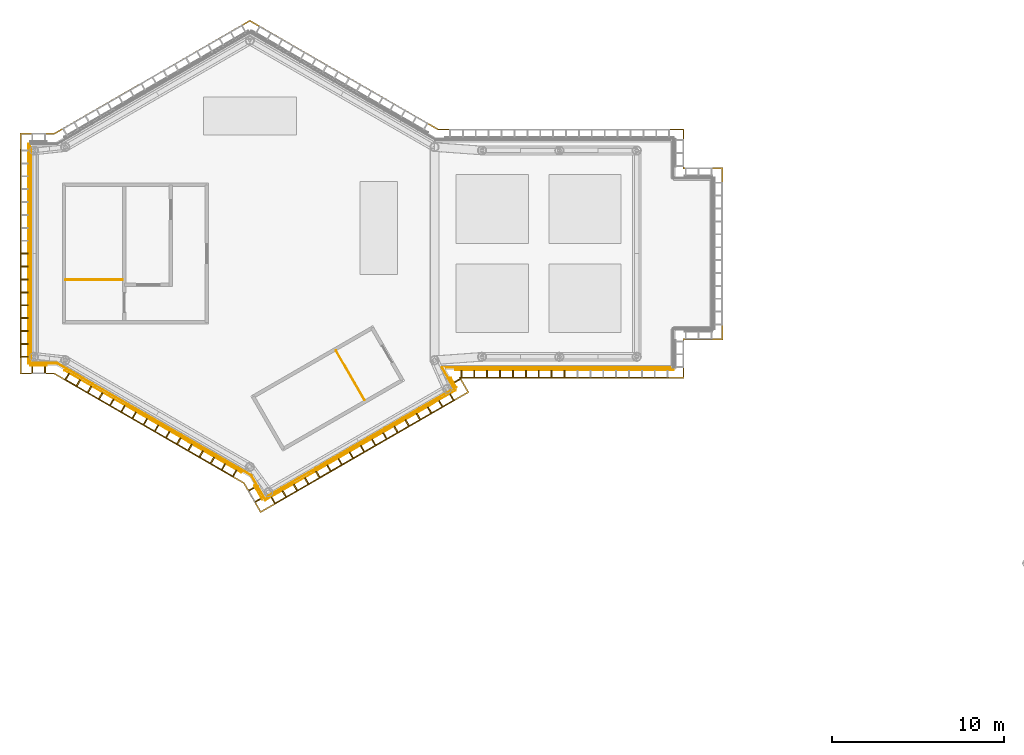
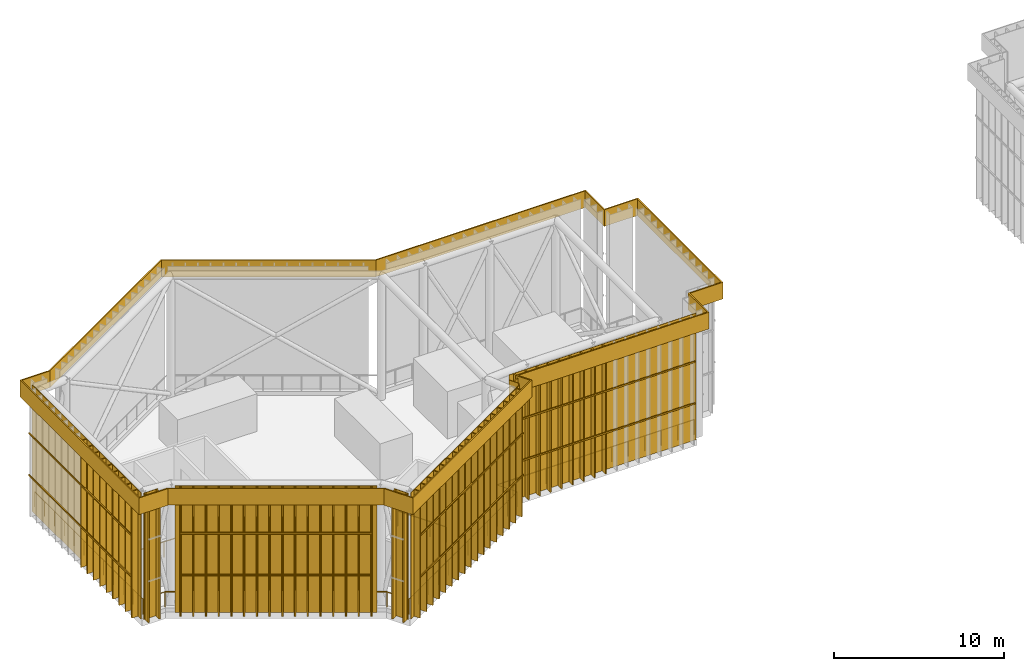
# One storey, part 10 of 17: 72 coverings, 9 railings.
"""IFC4 building model written with IfcOpenShell, lengths in metres."""

from ifc_helpers import new_model, si_unit, direction, frame, origin, origin_2d, place, context, subcontext, project, spatial, polyline, rectangle, circle, outline, extrude, material, layer, layer_set, type_object, element, save


model = new_model("IFC4")

# Units and contexts
model_context = context("Model", 3, precision=1e-05, world=origin(), true_north=direction((0.0, 1.0)))
body_context = subcontext(model_context, "Body", "Model", "MODEL_VIEW")
ifc_project = project(units=[si_unit("LENGTHUNIT", "METRE"), si_unit("AREAUNIT", "SQUARE_METRE"), si_unit("VOLUMEUNIT", "CUBIC_METRE"), si_unit("PLANEANGLEUNIT", "RADIAN"), si_unit("MASSUNIT", "GRAM", prefix="KILO")], contexts=[model_context])

# Site, building, storey
site_placement = place(None, origin())
site = spatial("IfcSite", under=ifc_project, at=site_placement, CompositionType="ELEMENT")
building_placement = place(site_placement, origin())
building = spatial("IfcBuilding", under=site, at=building_placement, Name="Upepo Twin Towers", CompositionType="ELEMENT")
storey_placement = place(building_placement, frame((0.0, 0.0, 296.5)))
storey = spatial("IfcBuildingStorey", under=building, at=storey_placement, Name="RF", CompositionType="ELEMENT", Elevation=296.5)

# Coverings
ifc_material_1 = material(Name="Folded aluminium sheet, pale silver, on a galvanised steel subframe", Category="steel")
ifc_layer_1 = layer(ifc_material_1, 0.080078125)
ifc_layer_set_1 = layer_set([ifc_layer_1], Name="Crown cap fascia 1200 folded aluminium")
covering_type_1 = type_object("IfcCoveringType", Name="Crown cap fascia 1200 folded aluminium", PredefinedType="CLADDING", material=ifc_layer_set_1)
covering_1_placement = place(storey_placement, frame((0.0, 0.0, 8.053955078125)))
element("IfcCovering", 1, at=covering_1_placement, inside=storey, type_object=covering_type_1, Name="T1 crown cap fascia", PredefinedType="CLADDING", context=body_context, shape_type="SweptSolid", body=[
    extrude(outline(polyline([(12.7548828125, -8.072265625), (0.61328125, -15.082275390625), (-0.373291015625, -13.373291015625), (-11.39501953125, -7.010009765625), (-13.368408203125, -7.010009765625), (-13.368408203125, 7.010009765625), (-11.39501953125, 7.010009765625), (0.0, 13.5888671875), (10.9619140625, 7.260009765625), (25.260009765625, 7.260009765625), (25.260009765625, 5.010009765625), (27.510009765625, 5.010009765625), (27.510009765625, -5.010009765625), (25.260009765625, -5.010009765625), (25.260009765625, -7.260009765625), (12.2861328125, -7.260009765625), (12.7548828125, -8.072265625)]), holes=[polyline([(12.645751953125, -8.04296875), (0.642578125, -14.97314453125), (-0.314697265625, -13.314697265625), (-11.37353515625, -6.929931640625), (-13.288330078125, -6.929931640625), (-13.288330078125, 6.929931640625), (-11.37353515625, 6.929931640625), (0.0, 13.49658203125), (10.9404296875, 7.179931640625), (25.179931640625, 7.179931640625), (25.179931640625, 4.929931640625), (27.429931640625, 4.929931640625), (27.429931640625, -4.929931640625), (25.179931640625, -4.929931640625), (25.179931640625, -7.179931640625), (12.1474609375, -7.179931640625), (12.645751953125, -8.04296875)])]), origin(), (0.0, 0.0, 1.0), 1.199951171875),
])
ifc_material_2 = material(Name="Anodised aluminium, pale silver", Category="aluminium")
covering_type_2 = type_object("IfcCoveringType", Name="Crown screen fin 80x400 pale aluminium", PredefinedType="CLADDING", material=ifc_material_2)
for number, where, z_axis, x_axis, name in (
    (2, (12.042236328125, -7.397705078125, 0.0), (0.0, 0.0, 1.0), (-0.49999963724, 0.866025613224, 0.0), "T1 crown screen fin 1.1"),
    (3, (12.30126953125, -6.97998046875, 0.0), (0.0, 0.0, 1.0), (1.0, 0.0, 0.0), "T1 crown screen fin 2.1"),
    (4, (13.05126953125, -6.97998046875, 0.0), (0.0, 0.0, 1.0), (1.0, 0.0, 0.0), "T1 crown screen fin 2.2"),
    (5, (13.80126953125, -6.97998046875, 0.0), (0.0, 0.0, 1.0), (1.0, 0.0, 0.0), "T1 crown screen fin 2.3"),
    (6, (14.55126953125, -6.97998046875, 0.0), (0.0, 0.0, 1.0), (1.0, 0.0, 0.0), "T1 crown screen fin 2.4"),
    (7, (15.30126953125, -6.97998046875, 0.0), (0.0, 0.0, 1.0), (1.0, 0.0, 0.0), "T1 crown screen fin 2.5"),
    (8, (16.05126953125, -6.97998046875, 0.0), (0.0, 0.0, 1.0), (1.0, 0.0, 0.0), "T1 crown screen fin 2.6"),
    (9, (16.80126953125, -6.97998046875, 0.0), (0.0, 0.0, 1.0), (1.0, 0.0, 0.0), "T1 crown screen fin 2.7"),
    (10, (17.55126953125, -6.97998046875, 0.0), (0.0, 0.0, 1.0), (1.0, 0.0, 0.0), "T1 crown screen fin 2.8"),
    (11, (18.30126953125, -6.97998046875, 0.0), (0.0, 0.0, 1.0), (1.0, 0.0, 0.0), "T1 crown screen fin 2.9"),
    (12, (-13.08837890625, 0.0, 0.0), (0.0, 0.0, 1.0), (0.0, -1.0, 0.0), "T1 crown screen fin 12.9"),
    (13, (-13.08837890625, -0.75, 0.0), (0.0, 0.0, 1.0), (0.0, -1.0, 0.0), "T1 crown screen fin 12.10"),
    (14, (-13.08837890625, -1.5, 0.0), (0.0, 0.0, 1.0), (0.0, -1.0, 0.0), "T1 crown screen fin 12.11"),
    (15, (-13.08837890625, -2.25, 0.0), (0.0, 0.0, 1.0), (0.0, -1.0, 0.0), "T1 crown screen fin 12.12"),
    (16, (-13.08837890625, -3.0, 0.0), (0.0, 0.0, 1.0), (0.0, -1.0, 0.0), "T1 crown screen fin 12.13"),
    (17, (-13.08837890625, -3.75, 0.0), (0.0, 0.0, 1.0), (0.0, -1.0, 0.0), "T1 crown screen fin 12.14"),
    (18, (-13.08837890625, -4.5, 0.0), (0.0, 0.0, 1.0), (0.0, -1.0, 0.0), "T1 crown screen fin 12.15"),
    (19, (-13.08837890625, -5.25, 0.0), (0.0, 0.0, 1.0), (0.0, -1.0, 0.0), "T1 crown screen fin 12.16"),
    (20, (-13.08837890625, -6.0, 0.0), (0.0, 0.0, 1.0), (0.0, -1.0, 0.0), "T1 crown screen fin 12.17"),
    (21, (-12.658447265625, -6.72998046875, 0.0), (0.0, 0.0, 1.0), (1.0, 0.0, 0.0), "T1 crown screen fin 13.1"),
    (22, (-11.908447265625, -6.72998046875, 0.0), (0.0, 0.0, 1.0), (1.0, 0.0, 0.0), "T1 crown screen fin 13.2"),
    (23, (-10.615478515625, -7.13671875, 0.0), (0.0, 0.0, 1.0), (0.866025395058, -0.500000015115, 0.0), "T1 crown screen fin 14.1"),
    (24, (-9.966064453125, -7.51171875, 0.0), (0.0, 0.0, 1.0), (0.866025395058, -0.500000015115, 0.0), "T1 crown screen fin 14.2"),
    (25, (-9.31640625, -7.88671875, 0.0), (0.0, 0.0, 1.0), (0.866025395058, -0.500000015115, 0.0), "T1 crown screen fin 14.3"),
    (26, (-8.6669921875, -8.26171875, 0.0), (0.0, 0.0, 1.0), (0.866025395058, -0.500000015115, 0.0), "T1 crown screen fin 14.4"),
    (27, (-8.017578125, -8.63671875, 0.0), (0.0, 0.0, 1.0), (0.866025395058, -0.500000015115, 0.0), "T1 crown screen fin 14.5"),
    (28, (-7.367919921875, -9.01171875, 0.0), (0.0, 0.0, 1.0), (0.866025395058, -0.500000015115, 0.0), "T1 crown screen fin 14.6"),
    (29, (-6.718505859375, -9.38671875, 0.0), (0.0, 0.0, 1.0), (0.866025395058, -0.500000015115, 0.0), "T1 crown screen fin 14.7"),
    (30, (-6.06884765625, -9.76171875, 0.0), (0.0, 0.0, 1.0), (0.866025395058, -0.500000015115, 0.0), "T1 crown screen fin 14.8"),
    (31, (-5.41943359375, -10.13671875, 0.0), (0.0, 0.0, 1.0), (0.866025395058, -0.500000015115, 0.0), "T1 crown screen fin 14.9"),
    (32, (-4.769775390625, -10.51171875, 0.0), (0.0, 0.0, 1.0), (0.866025395058, -0.500000015115, 0.0), "T1 crown screen fin 14.10"),
    (33, (-4.120361328125, -10.88671875, 0.0), (0.0, 0.0, 1.0), (0.866025395058, -0.500000015115, 0.0), "T1 crown screen fin 14.11"),
    (34, (-3.470947265625, -11.26171875, 0.0), (0.0, 0.0, 1.0), (0.866025395058, -0.500000015115, 0.0), "T1 crown screen fin 14.12"),
    (35, (-2.8212890625, -11.63671875, 0.0), (0.0, 0.0, 1.0), (0.866025395058, -0.500000015115, 0.0), "T1 crown screen fin 14.13"),
    (36, (-2.171875, -12.01171875, 0.0), (0.0, 0.0, 1.0), (0.866025395058, -0.500000015115, 0.0), "T1 crown screen fin 14.14"),
    (37, (-1.522216796875, -12.38671875, 0.0), (0.0, 0.0, 1.0), (0.866025395058, -0.500000015115, 0.0), "T1 crown screen fin 14.15"),
    (38, (-0.872802734375, -12.76171875, 0.0), (0.0, 0.0, 1.0), (0.866025395058, -0.500000015115, 0.0), "T1 crown screen fin 14.16"),
    (39, (0.125732421875, -13.677978515625, 0.0), (0.0, 0.0, 1.0), (0.49999990931, -0.866025456144, 0.0), "T1 crown screen fin 15.1"),
    (40, (0.500732421875, -14.327392578125, 0.0), (0.0, 0.0, 1.0), (0.49999990931, -0.866025456144, 0.0), "T1 crown screen fin 15.2"),
    (41, (1.347900390625, -14.334716796875, 0.0), (0.0, 0.0, 1.0), (0.866025395058, 0.500000015115, 0.0), "T1 crown screen fin 16.1"),
    (42, (1.99755859375, -13.959716796875, 0.0), (0.0, 0.0, 1.0), (0.866025395058, 0.500000015115, 0.0), "T1 crown screen fin 16.2"),
    (43, (2.64697265625, -13.584716796875, 0.0), (0.0, 0.0, 1.0), (0.866025395058, 0.500000015115, 0.0), "T1 crown screen fin 16.3"),
    (44, (3.296630859375, -13.209716796875, 0.0), (0.0, 0.0, 1.0), (0.866025395058, 0.500000015115, 0.0), "T1 crown screen fin 16.4"),
    (45, (3.946044921875, -12.834716796875, 0.0), (0.0, 0.0, 1.0), (0.866025395058, 0.500000015115, 0.0), "T1 crown screen fin 16.5"),
    (46, (4.595703125, -12.459716796875, 0.0), (0.0, 0.0, 1.0), (0.866025395058, 0.500000015115, 0.0), "T1 crown screen fin 16.6"),
    (47, (5.2451171875, -12.084716796875, 0.0), (0.0, 0.0, 1.0), (0.866025395058, 0.500000015115, 0.0), "T1 crown screen fin 16.7"),
    (48, (5.89453125, -11.709716796875, 0.0), (0.0, 0.0, 1.0), (0.866025395058, 0.500000015115, 0.0), "T1 crown screen fin 16.8"),
    (49, (6.544189453125, -11.334716796875, 0.0), (0.0, 0.0, 1.0), (0.866025395058, 0.500000015115, 0.0), "T1 crown screen fin 16.9"),
    (50, (7.193603515625, -10.959716796875, 0.0), (0.0, 0.0, 1.0), (0.866025395058, 0.500000015115, 0.0), "T1 crown screen fin 16.10"),
    (51, (7.84326171875, -10.584716796875, 0.0), (0.0, 0.0, 1.0), (0.866025395058, 0.500000015115, 0.0), "T1 crown screen fin 16.11"),
    (52, (8.49267578125, -10.209716796875, 0.0), (0.0, 0.0, 1.0), (0.866025395058, 0.500000015115, 0.0), "T1 crown screen fin 16.12"),
    (53, (9.142333984375, -9.834716796875, 0.0), (0.0, 0.0, 1.0), (0.866025395058, 0.500000015115, 0.0), "T1 crown screen fin 16.13"),
    (54, (9.791748046875, -9.459716796875, 0.0), (0.0, 0.0, 1.0), (0.866025395058, 0.500000015115, 0.0), "T1 crown screen fin 16.14"),
    (55, (10.441162109375, -9.084716796875, 0.0), (0.0, 0.0, 1.0), (0.866025395058, 0.500000015115, 0.0), "T1 crown screen fin 16.15"),
    (56, (11.0908203125, -8.709716796875, 0.0), (0.0, 0.0, 1.0), (0.866025395058, 0.500000015115, 0.0), "T1 crown screen fin 16.16"),
    (57, (11.740234375, -8.334716796875, 0.0), (0.0, 0.0, 1.0), (0.866025395058, 0.500000015115, 0.0), "T1 crown screen fin 16.17"),
):
    element("IfcCovering", number, at=place(storey_placement, frame(where, z_axis=z_axis, x_axis=x_axis)), inside=storey, type_object=covering_type_2, Name=name, PredefinedType="CLADDING", context=body_context, shape_type="SweptSolid", body=[
        extrude(rectangle(XDim=0.080078125, YDim=0.39990234375, at=origin_2d()), origin(), (0.0, 0.0, 1.0), 9.10400390625),
    ])
ifc_material_3 = material(Name="Perforated anodised aluminium sheet 3 mm, pale silver, on an aluminium subframe", Category="aluminium")
ifc_layer_2 = layer(ifc_material_3, 0.030029296875)
ifc_layer_set_2 = layer_set([ifc_layer_2], Name="Crown screen panel 30 perforated aluminium")
covering_type_3 = type_object("IfcCoveringType", Name="Crown screen panel 30 perforated aluminium", PredefinedType="CLADDING", material=ifc_layer_set_2)
covering_2_placement = place(storey_placement, frame((11.85595703125, -7.505126953125, 0.0), z_axis=(0.0, 0.0, 1.0), x_axis=(-0.49999963724, 0.866025613224, 0.0)))
element("IfcCovering", 58, at=covering_2_placement, inside=storey, type_object=covering_type_3, Name="T1 crown screen panel 1", PredefinedType="CLADDING", context=body_context, shape_type="SweptSolid", body=[
    extrude(rectangle(XDim=0.661376953125, YDim=0.030029296875, at=origin_2d()), origin(), (0.0, 0.0, 1.0), 9.10400390625),
])
covering_3_placement = place(storey_placement, frame((18.30126953125, -6.764892578125, 0.0), z_axis=(0.0, 0.0, 1.0), x_axis=(1.0, 0.0, 0.0)))
element("IfcCovering", 59, at=covering_3_placement, inside=storey, type_object=covering_type_3, Name="T1 crown screen panel 2", PredefinedType="CLADDING", context=body_context, shape_type="SweptSolid", body=[
    extrude(rectangle(XDim=12.697265625, YDim=0.030029296875, at=origin_2d()), origin(), (0.0, 0.0, 1.0), 9.10400390625),
])
covering_4_placement = place(storey_placement, frame((-12.873291015625, 0.0, 0.0), z_axis=(0.0, 0.0, 1.0), x_axis=(0.0, -1.0, 0.0)))
element("IfcCovering", 60, at=covering_4_placement, inside=storey, type_object=covering_type_3, Name="T1 crown screen panel 12", PredefinedType="CLADDING", context=body_context, shape_type="SweptSolid", body=[
    extrude(rectangle(XDim=12.800048828125, YDim=0.030029296875, at=origin_2d()), origin(), (0.0, 0.0, 1.0), 9.10400390625),
])
covering_5_placement = place(storey_placement, frame((-12.283447265625, -6.514892578125, 0.0), z_axis=(0.0, 0.0, 1.0), x_axis=(1.0, 0.0, 0.0)))
element("IfcCovering", 61, at=covering_5_placement, inside=storey, type_object=covering_type_3, Name="T1 crown screen panel 13", PredefinedType="CLADDING", context=body_context, shape_type="SweptSolid", body=[
    extrude(rectangle(XDim=0.949951171875, YDim=0.030029296875, at=origin_2d()), origin(), (0.0, 0.0, 1.0), 9.10400390625),
])
covering_6_placement = place(storey_placement, frame((-5.63671875, -9.762939453125, 0.0), z_axis=(0.0, 0.0, 1.0), x_axis=(0.866025395058, -0.500000015115, 0.0)))
element("IfcCovering", 62, at=covering_6_placement, inside=storey, type_object=covering_type_3, Name="T1 crown screen panel 14", PredefinedType="CLADDING", context=body_context, shape_type="SweptSolid", body=[
    extrude(rectangle(XDim=11.89990234375, YDim=0.030029296875, at=origin_2d()), origin(), (0.0, 0.0, 1.0), 9.10400390625),
])
covering_7_placement = place(storey_placement, frame((0.49951171875, -13.895263671875, 0.0), z_axis=(0.0, 0.0, 1.0), x_axis=(0.49999990931, -0.866025456144, 0.0)))
element("IfcCovering", 63, at=covering_7_placement, inside=storey, type_object=covering_type_3, Name="T1 crown screen panel 15", PredefinedType="CLADDING", context=body_context, shape_type="SweptSolid", body=[
    extrude(rectangle(XDim=0.949951171875, YDim=0.030029296875, at=origin_2d()), origin(), (0.0, 0.0, 1.0), 9.10400390625),
])
covering_8_placement = place(storey_placement, frame((6.436767578125, -11.148681640625, 0.0), z_axis=(0.0, 0.0, 1.0), x_axis=(0.866025395058, 0.500000015115, 0.0)))
element("IfcCovering", 64, at=covering_8_placement, inside=storey, type_object=covering_type_3, Name="T1 crown screen panel 16", PredefinedType="CLADDING", context=body_context, shape_type="SweptSolid", body=[
    extrude(rectangle(XDim=12.800048828125, YDim=0.030029296875, at=origin_2d()), origin(), (0.0, 0.0, 1.0), 9.10400390625),
])
ifc_material_4 = material(Name="Anodised aluminium, pale silver", Category="aluminium")
covering_type_4 = type_object("IfcCoveringType", Name="Crown screen rail 60x100 pale aluminium", PredefinedType="CLADDING", material=ifc_material_4)
for number, where, z_axis, x_axis, name in (
    (65, (18.30126953125, -7.2099609375, 2.949951171875), (0.0, 0.0, 1.0), (1.0, 0.0, 0.0), "T1 crown screen rail 2.1"),
    (66, (18.30126953125, -7.2099609375, 5.949951171875), (0.0, 0.0, 1.0), (1.0, 0.0, 0.0), "T1 crown screen rail 2.2"),
    (67, (-13.318359375, 0.0, 2.949951171875), (0.0, 0.0, 1.0), (0.0, -1.0, 0.0), "T1 crown screen rail 12.1"),
    (68, (-13.318359375, 0.0, 5.949951171875), (0.0, 0.0, 1.0), (0.0, -1.0, 0.0), "T1 crown screen rail 12.2"),
):
    element("IfcCovering", number, at=place(storey_placement, frame(where, z_axis=z_axis, x_axis=x_axis)), inside=storey, type_object=covering_type_4, Name=name, PredefinedType="CLADDING", context=body_context, shape_type="SweptSolid", body=[
        extrude(rectangle(XDim=12.080078125, YDim=0.06005859375, at=origin_2d()), origin(), (0.0, 0.0, 1.0), 0.10009765625),
    ])
for number, where, z_axis, x_axis, name in (
    (69, (-5.859130859375, -10.1484375, 2.949951171875), (0.0, 0.0, 1.0), (0.866025395058, -0.500000015115, 0.0), "T1 crown screen rail 14.1"),
    (70, (-5.859130859375, -10.1484375, 5.949951171875), (0.0, 0.0, 1.0), (0.866025395058, -0.500000015115, 0.0), "T1 crown screen rail 14.2"),
):
    element("IfcCovering", number, at=place(storey_placement, frame(where, z_axis=z_axis, x_axis=x_axis)), inside=storey, type_object=covering_type_4, Name=name, PredefinedType="CLADDING", context=body_context, shape_type="SweptSolid", body=[
        extrude(rectangle(XDim=11.330078125, YDim=0.06005859375, at=origin_2d()), origin(), (0.0, 0.0, 1.0), 0.10009765625),
    ])
for number, where, z_axis, x_axis, name in (
    (71, (6.6591796875, -11.533935546875, 2.949951171875), (0.0, 0.0, 1.0), (0.866025395058, 0.500000015115, 0.0), "T1 crown screen rail 16.1"),
    (72, (6.6591796875, -11.533935546875, 5.949951171875), (0.0, 0.0, 1.0), (0.866025395058, 0.500000015115, 0.0), "T1 crown screen rail 16.2"),
):
    element("IfcCovering", number, at=place(storey_placement, frame(where, z_axis=z_axis, x_axis=x_axis)), inside=storey, type_object=covering_type_4, Name=name, PredefinedType="CLADDING", context=body_context, shape_type="SweptSolid", body=[
        extrude(rectangle(XDim=12.080078125, YDim=0.06005859375, at=origin_2d()), origin(), (0.0, 0.0, 1.0), 0.10009765625),
    ])

# Railings
ifc_material_5 = material(Name="Stainless steel and glass", Category="steel")
railing_type_1 = type_object("IfcRailingType", Name="Guard 1100", PredefinedType="GUARDRAIL", material=ifc_material_5)
railing_1_placement = place(storey_placement, frame((-7.39990234375, -1.52001953125, 0.0)))
element("IfcRailing", 73, at=railing_1_placement, inside=storey, type_object=railing_type_1, Name="T1 stair S1 roof landing well guard", PredefinedType="GUARDRAIL", context=body_context, shape_type="SweptSolid", body=[
    extrude(circle(Radius=0.02392578125, at=origin_2d()), frame((0.0, 0.0, 1.076171875), z_axis=(-1.0, 0.0, 0.0), x_axis=(0.0, -1.0, 0.0)), (0.0, 0.0, 1.0), 3.308349609375),
    extrude(circle(Radius=0.02099609375, at=origin_2d()), origin(), (0.0, 0.0, 1.0), 1.052001953125),
    extrude(circle(Radius=0.02099609375, at=origin_2d()), frame((-1.102783203125, 0.0, 0.0)), (0.0, 0.0, 1.0), 1.052001953125),
    extrude(circle(Radius=0.02099609375, at=origin_2d()), frame((-2.20556640625, 0.0, 0.0)), (0.0, 0.0, 1.0), 1.052001953125),
    extrude(circle(Radius=0.02099609375, at=origin_2d()), frame((-3.308349609375, 0.0, 0.0)), (0.0, 0.0, 1.0), 1.052001953125),
])
railing_2_placement = place(storey_placement, frame((5.016357421875, -5.648681640625, 0.0)))
element("IfcRailing", 74, at=railing_2_placement, inside=storey, type_object=railing_type_1, Name="T1 stair S2 roof landing well guard", PredefinedType="GUARDRAIL", context=body_context, shape_type="SweptSolid", body=[
    extrude(circle(Radius=0.02392578125, at=origin_2d()), frame((0.0, 0.0, 1.076171875), z_axis=(0.499988630717, -0.866031967744, 0.0), x_axis=(0.866031967744, 0.499988630717, 0.0)), (0.0, 0.0, 1.0), 3.30810546875),
    extrude(circle(Radius=0.02099609375, at=origin_2d()), origin(), (0.0, 0.0, 1.0), 1.052001953125),
    extrude(circle(Radius=0.02099609375, at=origin_2d()), frame((0.55126953125, -0.955078125, 0.0)), (0.0, 0.0, 1.0), 1.052001953125),
    extrude(circle(Radius=0.02099609375, at=origin_2d()), frame((1.102783203125, -1.909912109375, 0.0)), (0.0, 0.0, 1.0), 1.052001953125),
    extrude(circle(Radius=0.02099609375, at=origin_2d()), frame((1.654052734375, -2.864990234375, 0.0)), (0.0, 0.0, 1.0), 1.052001953125),
])
ifc_material_6 = material(Name="Galvanised steel S275", Category="steel")
railing_type_2 = type_object("IfcRailingType", Name="Roof edge guardrail 1100 steel", PredefinedType="GUARDRAIL", material=ifc_material_6)
railing_3_placement = place(storey_placement, frame((11.8876953125, -7.83984375, 0.300048828125)))
element("IfcRailing", 75, at=railing_3_placement, inside=storey, type_object=railing_type_2, Name="T1 roof edge guardrail 1", PredefinedType="GUARDRAIL", context=body_context, shape_type="SweptSolid", body=[
    extrude(circle(Radius=0.02392578125, at=origin_2d()), frame((0.0, 0.0, 1.076171875), z_axis=(-0.866028703517, -0.499994284652, 0.0), x_axis=(0.499994284652, -0.866028703517, 0.0)), (0.0, 0.0, 1.0), 12.750244140625),
    extrude(circle(Radius=0.02099609375, at=origin_2d()), origin(), (0.0, 0.0, 1.0), 1.052001953125),
    extrude(circle(Radius=0.02099609375, at=origin_2d()), frame((-1.00390625, -0.57958984375, 0.0)), (0.0, 0.0, 1.0), 1.052001953125),
    extrude(circle(Radius=0.02099609375, at=origin_2d()), frame((-2.007568359375, -1.1591796875, 0.0)), (0.0, 0.0, 1.0), 1.052001953125),
    extrude(circle(Radius=0.02099609375, at=origin_2d()), frame((-3.011474609375, -1.738525390625, 0.0)), (0.0, 0.0, 1.0), 1.052001953125),
    extrude(circle(Radius=0.02099609375, at=origin_2d()), frame((-4.015380859375, -2.318115234375, 0.0)), (0.0, 0.0, 1.0), 1.052001953125),
    extrude(circle(Radius=0.02099609375, at=origin_2d()), frame((-5.01904296875, -2.897705078125, 0.0)), (0.0, 0.0, 1.0), 1.052001953125),
    extrude(circle(Radius=0.02099609375, at=origin_2d()), frame((-6.02294921875, -3.477294921875, 0.0)), (0.0, 0.0, 1.0), 1.052001953125),
    extrude(circle(Radius=0.02099609375, at=origin_2d()), frame((-7.026611328125, -4.056884765625, 0.0)), (0.0, 0.0, 1.0), 1.052001953125),
    extrude(circle(Radius=0.02099609375, at=origin_2d()), frame((-8.030517578125, -4.636474609375, 0.0)), (0.0, 0.0, 1.0), 1.052001953125),
    extrude(circle(Radius=0.02099609375, at=origin_2d()), frame((-9.034423828125, -5.2158203125, 0.0)), (0.0, 0.0, 1.0), 1.052001953125),
    extrude(circle(Radius=0.02099609375, at=origin_2d()), frame((-10.0380859375, -5.79541015625, 0.0)), (0.0, 0.0, 1.0), 1.052001953125),
    extrude(circle(Radius=0.02099609375, at=origin_2d()), frame((-11.0419921875, -6.375, 0.0)), (0.0, 0.0, 1.0), 1.052001953125),
])
railing_4_placement = place(storey_placement, frame((0.845703125, -14.21484375, 0.300048828125)))
element("IfcRailing", 76, at=railing_4_placement, inside=storey, type_object=railing_type_2, Name="T1 roof edge guardrail 2", PredefinedType="GUARDRAIL", context=body_context, shape_type="SweptSolid", body=[
    extrude(circle(Radius=0.02392578125, at=origin_2d()), frame((0.0, 0.0, 1.076171875), z_axis=(-0.499951287894, 0.866053525905, 0.0), x_axis=(-0.866053525905, -0.499951287894, 0.0)), (0.0, 0.0, 1.0), 1.508544921875),
    extrude(circle(Radius=0.02099609375, at=origin_2d()), origin(), (0.0, 0.0, 1.0), 1.052001953125),
    extrude(circle(Radius=0.02099609375, at=origin_2d()), frame((-0.376953125, 0.6533203125, 0.0)), (0.0, 0.0, 1.0), 1.052001953125),
    extrude(circle(Radius=0.02099609375, at=origin_2d()), frame((-0.754150390625, 1.306396484375, 0.0)), (0.0, 0.0, 1.0), 1.052001953125),
])
railing_5_placement = place(storey_placement, frame((0.091552734375, -12.908447265625, 0.300048828125)))
element("IfcRailing", 77, at=railing_5_placement, inside=storey, type_object=railing_type_2, Name="T1 roof edge guardrail 3", PredefinedType="GUARDRAIL", context=body_context, shape_type="SweptSolid", body=[
    extrude(circle(Radius=0.02392578125, at=origin_2d()), frame((0.0, 0.0, 1.076171875), z_axis=(-0.866028151861, 0.499995240161, 0.0), x_axis=(-0.499995240161, -0.866028151861, 0.0)), (0.0, 0.0, 1.0), 13.067138671875),
    extrude(circle(Radius=0.02099609375, at=origin_2d()), origin(), (0.0, 0.0, 1.0), 1.052001953125),
    extrude(circle(Radius=0.02099609375, at=origin_2d()), frame((-1.02880859375, 0.593994140625, 0.0)), (0.0, 0.0, 1.0), 1.052001953125),
    extrude(circle(Radius=0.02099609375, at=origin_2d()), frame((-2.0576171875, 1.18798828125, 0.0)), (0.0, 0.0, 1.0), 1.052001953125),
    extrude(circle(Radius=0.02099609375, at=origin_2d()), frame((-3.086181640625, 1.78173828125, 0.0)), (0.0, 0.0, 1.0), 1.052001953125),
    extrude(circle(Radius=0.02099609375, at=origin_2d()), frame((-4.114990234375, 2.375732421875, 0.0)), (0.0, 0.0, 1.0), 1.052001953125),
    extrude(circle(Radius=0.02099609375, at=origin_2d()), frame((-5.143798828125, 2.9697265625, 0.0)), (0.0, 0.0, 1.0), 1.052001953125),
    extrude(circle(Radius=0.02099609375, at=origin_2d()), frame((-6.172607421875, 3.563720703125, 0.0)), (0.0, 0.0, 1.0), 1.052001953125),
    extrude(circle(Radius=0.02099609375, at=origin_2d()), frame((-7.201416015625, 4.15771484375, 0.0)), (0.0, 0.0, 1.0), 1.052001953125),
    extrude(circle(Radius=0.02099609375, at=origin_2d()), frame((-8.230224609375, 4.751708984375, 0.0)), (0.0, 0.0, 1.0), 1.052001953125),
    extrude(circle(Radius=0.02099609375, at=origin_2d()), frame((-9.2587890625, 5.345458984375, 0.0)), (0.0, 0.0, 1.0), 1.052001953125),
    extrude(circle(Radius=0.02099609375, at=origin_2d()), frame((-10.28759765625, 5.939453125, 0.0)), (0.0, 0.0, 1.0), 1.052001953125),
    extrude(circle(Radius=0.02099609375, at=origin_2d()), frame((-11.31640625, 6.533447265625, 0.0)), (0.0, 0.0, 1.0), 1.052001953125),
])
railing_6_placement = place(storey_placement, frame((-11.224853515625, -6.375, 0.300048828125)))
element("IfcRailing", 78, at=railing_6_placement, inside=storey, type_object=railing_type_2, Name="T1 roof edge guardrail 4", PredefinedType="GUARDRAIL", context=body_context, shape_type="SweptSolid", body=[
    extrude(circle(Radius=0.02392578125, at=origin_2d()), frame((0.0, 0.0, 1.076171875), z_axis=(-1.0, 0.0, 0.0), x_axis=(0.0, -1.0, 0.0)), (0.0, 0.0, 1.0), 1.508544921875),
    extrude(circle(Radius=0.02099609375, at=origin_2d()), origin(), (0.0, 0.0, 1.0), 1.052001953125),
    extrude(circle(Radius=0.02099609375, at=origin_2d()), frame((-0.75439453125, 0.0, 0.0)), (0.0, 0.0, 1.0), 1.052001953125),
    extrude(circle(Radius=0.02099609375, at=origin_2d()), frame((-1.508544921875, 0.0, 0.0)), (0.0, 0.0, 1.0), 1.052001953125),
])
railing_7_placement = place(storey_placement, frame((-12.7333984375, -6.375, 0.300048828125)))
element("IfcRailing", 79, at=railing_7_placement, inside=storey, type_object=railing_type_2, Name="T1 roof edge guardrail 5", PredefinedType="GUARDRAIL", context=body_context, shape_type="SweptSolid", body=[
    extrude(circle(Radius=0.02392578125, at=origin_2d()), frame((0.0, 0.0, 1.076171875), z_axis=(0.0, 1.0, 0.0), x_axis=(-1.0, 0.0, 0.0)), (0.0, 0.0, 1.0), 12.75),
    extrude(circle(Radius=0.02099609375, at=origin_2d()), origin(), (0.0, 0.0, 1.0), 1.052001953125),
    extrude(circle(Radius=0.02099609375, at=origin_2d()), frame((0.0, 1.1591796875, 0.0)), (0.0, 0.0, 1.0), 1.052001953125),
    extrude(circle(Radius=0.02099609375, at=origin_2d()), frame((0.0, 2.318115234375, 0.0)), (0.0, 0.0, 1.0), 1.052001953125),
    extrude(circle(Radius=0.02099609375, at=origin_2d()), frame((0.0, 3.477294921875, 0.0)), (0.0, 0.0, 1.0), 1.052001953125),
    extrude(circle(Radius=0.02099609375, at=origin_2d()), frame((0.0, 4.636474609375, 0.0)), (0.0, 0.0, 1.0), 1.052001953125),
    extrude(circle(Radius=0.02099609375, at=origin_2d()), frame((0.0, 5.79541015625, 0.0)), (0.0, 0.0, 1.0), 1.052001953125),
    extrude(circle(Radius=0.02099609375, at=origin_2d()), frame((0.0, 6.95458984375, 0.0)), (0.0, 0.0, 1.0), 1.052001953125),
    extrude(circle(Radius=0.02099609375, at=origin_2d()), frame((0.0, 8.113525390625, 0.0)), (0.0, 0.0, 1.0), 1.052001953125),
    extrude(circle(Radius=0.02099609375, at=origin_2d()), frame((0.0, 9.272705078125, 0.0)), (0.0, 0.0, 1.0), 1.052001953125),
    extrude(circle(Radius=0.02099609375, at=origin_2d()), frame((0.0, 10.431884765625, 0.0)), (0.0, 0.0, 1.0), 1.052001953125),
    extrude(circle(Radius=0.02099609375, at=origin_2d()), frame((0.0, 11.5908203125, 0.0)), (0.0, 0.0, 1.0), 1.052001953125),
    extrude(circle(Radius=0.02099609375, at=origin_2d()), frame((0.0, 12.75, 0.0)), (0.0, 0.0, 1.0), 1.052001953125),
])
railing_8_placement = place(storey_placement, frame((24.625, -6.625, 0.300048828125)))
element("IfcRailing", 80, at=railing_8_placement, inside=storey, type_object=railing_type_2, Name="T1 roof edge guardrail 15", PredefinedType="GUARDRAIL", context=body_context, shape_type="SweptSolid", body=[
    extrude(circle(Radius=0.02392578125, at=origin_2d()), frame((0.0, 0.0, 1.076171875), z_axis=(-1.0, 0.0, 0.0), x_axis=(0.0, -1.0, 0.0)), (0.0, 0.0, 1.0), 13.438720703125),
    extrude(circle(Radius=0.02099609375, at=origin_2d()), origin(), (0.0, 0.0, 1.0), 1.052001953125),
    extrude(circle(Radius=0.02099609375, at=origin_2d()), frame((-1.119873046875, 0.0, 0.0)), (0.0, 0.0, 1.0), 1.052001953125),
    extrude(circle(Radius=0.02099609375, at=origin_2d()), frame((-2.23974609375, 0.0, 0.0)), (0.0, 0.0, 1.0), 1.052001953125),
    extrude(circle(Radius=0.02099609375, at=origin_2d()), frame((-3.359619140625, 0.0, 0.0)), (0.0, 0.0, 1.0), 1.052001953125),
    extrude(circle(Radius=0.02099609375, at=origin_2d()), frame((-4.4794921875, 0.0, 0.0)), (0.0, 0.0, 1.0), 1.052001953125),
    extrude(circle(Radius=0.02099609375, at=origin_2d()), frame((-5.599365234375, 0.0, 0.0)), (0.0, 0.0, 1.0), 1.052001953125),
    extrude(circle(Radius=0.02099609375, at=origin_2d()), frame((-6.71923828125, 0.0, 0.0)), (0.0, 0.0, 1.0), 1.052001953125),
    extrude(circle(Radius=0.02099609375, at=origin_2d()), frame((-7.83935546875, 0.0, 0.0)), (0.0, 0.0, 1.0), 1.052001953125),
    extrude(circle(Radius=0.02099609375, at=origin_2d()), frame((-8.959228515625, 0.0, 0.0)), (0.0, 0.0, 1.0), 1.052001953125),
    extrude(circle(Radius=0.02099609375, at=origin_2d()), frame((-10.0791015625, 0.0, 0.0)), (0.0, 0.0, 1.0), 1.052001953125),
    extrude(circle(Radius=0.02099609375, at=origin_2d()), frame((-11.198974609375, 0.0, 0.0)), (0.0, 0.0, 1.0), 1.052001953125),
    extrude(circle(Radius=0.02099609375, at=origin_2d()), frame((-12.31884765625, 0.0, 0.0)), (0.0, 0.0, 1.0), 1.052001953125),
    extrude(circle(Radius=0.02099609375, at=origin_2d()), frame((-13.438720703125, 0.0, 0.0)), (0.0, 0.0, 1.0), 1.052001953125),
])
railing_9_placement = place(storey_placement, frame((11.186279296875, -6.625, 0.300048828125)))
element("IfcRailing", 81, at=railing_9_placement, inside=storey, type_object=railing_type_2, Name="T1 roof edge guardrail 16", PredefinedType="GUARDRAIL", context=body_context, shape_type="SweptSolid", body=[
    extrude(circle(Radius=0.02392578125, at=origin_2d()), frame((0.0, 0.0, 1.076171875), z_axis=(0.500013713398, -0.866017486206, 0.0), x_axis=(0.866017486206, 0.500013713398, 0.0)), (0.0, 0.0, 1.0), 1.40283203125),
    extrude(circle(Radius=0.02099609375, at=origin_2d()), origin(), (0.0, 0.0, 1.0), 1.052001953125),
    extrude(circle(Radius=0.02099609375, at=origin_2d()), frame((0.3505859375, -0.607421875, 0.0)), (0.0, 0.0, 1.0), 1.052001953125),
    extrude(circle(Radius=0.02099609375, at=origin_2d()), frame((0.701416015625, -1.21484375, 0.0)), (0.0, 0.0, 1.0), 1.052001953125),
])

save(model, "model.ifc")
